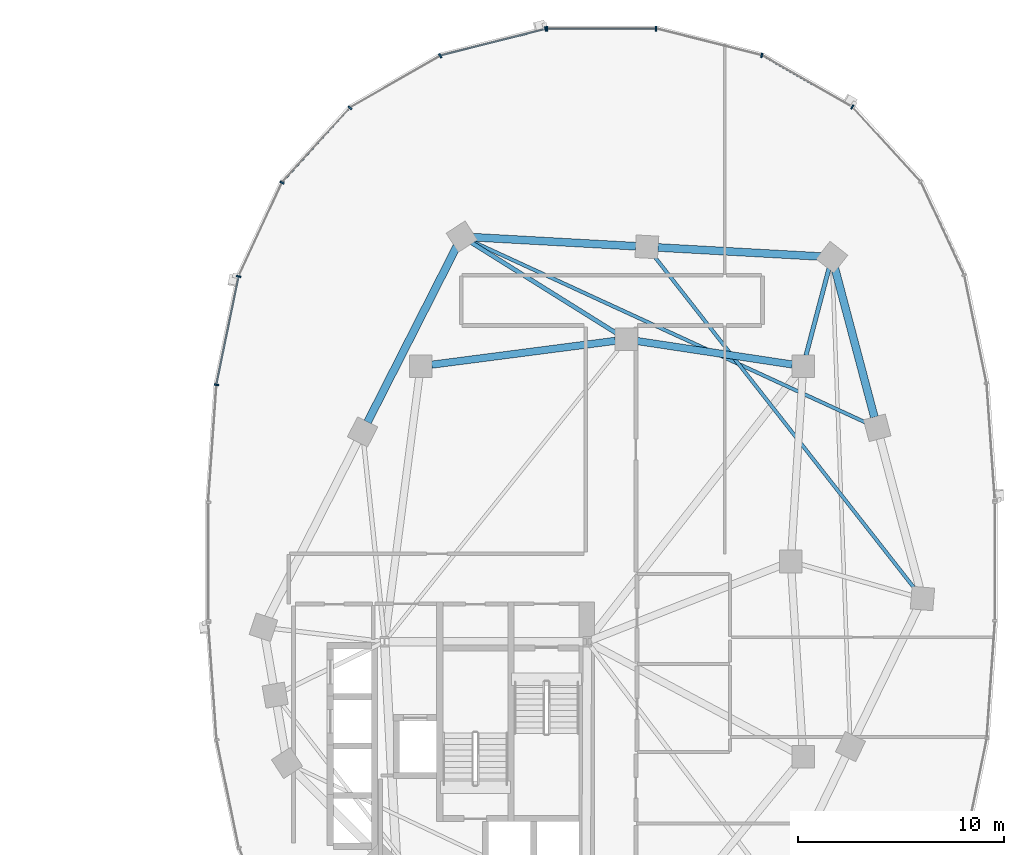
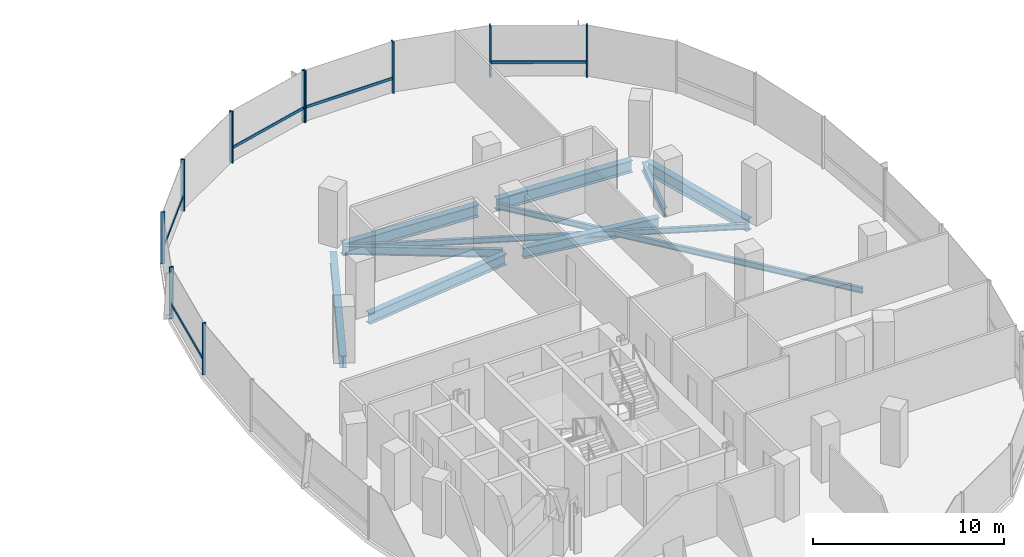
# One storey, part 7 of 21: 15 members, 10 beams, 2 elements without a shape of their own.
"""IFC4 building model written with IfcOpenShell, lengths in metres."""

from ifc_helpers import new_model, si_unit, direction, frame, origin, origin_2d, place, context, subcontext, project, spatial, rectangle, i_section, extrude, material, material_profile, profile_set, type_object, element, aggregate, save


model = new_model("IFC4")

# Units and contexts
model_context = context("Model", 3, precision=1e-05, world=origin(), true_north=direction((0.0, 1.0)))
body_context = subcontext(model_context, "Body", "Model", "MODEL_VIEW")
ifc_project = project(units=[si_unit("LENGTHUNIT", "METRE"), si_unit("AREAUNIT", "SQUARE_METRE"), si_unit("VOLUMEUNIT", "CUBIC_METRE"), si_unit("PLANEANGLEUNIT", "RADIAN"), si_unit("MASSUNIT", "GRAM", prefix="KILO"), si_unit("THERMODYNAMICTEMPERATUREUNIT", "KELVIN"), si_unit("POWERUNIT", "WATT")], contexts=[model_context])

# Site, building, storey
site_placement = place(None, origin())
site = spatial("IfcSite", under=ifc_project, at=site_placement, CompositionType="ELEMENT")
building_placement = place(site_placement, origin())
building = spatial("IfcBuilding", under=site, at=building_placement, Name="Cundina Bronze Exchange", CompositionType="ELEMENT")
storey_placement = place(building_placement, frame((0.0, 0.0, 85.39990234375)))
storey = spatial("IfcBuildingStorey", under=building, at=storey_placement, Name="L21", CompositionType="ELEMENT", Elevation=85.39990234375)

# Beams
ifc_material_1 = material(Name="Steel ASTM A992 Grade 50", Category="steel")
ifc_material_profile_1 = material_profile(ifc_material_1, i_section(OverallWidth=0.2099609375, OverallDepth=0.532958984375, WebThickness=0.01025390625, FlangeThickness=0.015625, FilletRadius=0.013916015625, at=origin_2d()), Name="W21X62", Category="steel")
ifc_profile_set_1 = profile_set([ifc_material_profile_1], Name="Steel ASTM A992 Grade 50")
beam_type_1 = type_object("IfcBeamType", Name="BM-FLR-W21B", PredefinedType="BEAM", material=ifc_profile_set_1)
beam_1_placement = place(storey_placement, frame((41.9375, 10.020263671875, -0.56640625), z_axis=(0.255357891402, 0.966846599673, 0.0), x_axis=(-0.966846599673, 0.255357891402, 0.0)))
element("IfcBeam", 1, at=beam_1_placement, inside=storey, type_object=beam_type_1, Name="L21 Leg E Chordal Floor Beam 10", PredefinedType="BEAM", context=body_context, shape_type="SweptSolid", body=[
    extrude(i_section(OverallWidth=0.2099609375, OverallDepth=0.532958984375, WebThickness=0.01025390625, FlangeThickness=0.015625, FilletRadius=0.013916015625, at=origin_2d()), origin(), (0.0, 0.0, 1.0), 4.405517578125),
])
beam_2_placement = place(storey_placement, frame((32.743896484375, 11.085205078125, -0.56640625), z_axis=(-0.848003227047, 0.529991063055, 0.0), x_axis=(-0.529991063055, -0.848003227047, 0.0)))
element("IfcBeam", 2, at=beam_2_placement, inside=storey, type_object=beam_type_1, Name="L21 Leg E Chordal Floor Beam 12", PredefinedType="BEAM", context=body_context, shape_type="SweptSolid", body=[
    extrude(i_section(OverallWidth=0.2099609375, OverallDepth=0.532958984375, WebThickness=0.01025390625, FlangeThickness=0.015625, FilletRadius=0.013916015625, at=origin_2d()), origin(), (0.0, 0.0, 1.0), 8.358154296875),
])
ifc_material_profile_2 = material_profile(ifc_material_1, i_section(OverallWidth=0.172119140625, OverallDepth=0.35791015625, WebThickness=0.0078125, FlangeThickness=0.01318359375, FilletRadius=0.010009765625, at=origin_2d()), Name="W14X38", Category="steel")
ifc_profile_set_2 = profile_set([ifc_material_profile_2], Name="Steel ASTM A992 Grade 50")
beam_type_2 = type_object("IfcBeamType", Name="BM-JST-W14", PredefinedType="JOIST", material=ifc_profile_set_2)
beam_3_placement = place(storey_placement, frame((47.268310546875, -1.37646484375, -0.47900390625), z_axis=(-0.616815348306, 0.787107887201, 0.0), x_axis=(-0.787107887201, -0.616815348306, 0.0)))
element("IfcBeam", 3, at=beam_3_placement, inside=storey, type_object=beam_type_2, Name="L21 Leg E Lobe Floor Joist 08-11", PredefinedType="JOIST", context=body_context, shape_type="SweptSolid", body=[
    extrude(i_section(OverallWidth=0.172119140625, OverallDepth=0.35791015625, WebThickness=0.0078125, FlangeThickness=0.01318359375, FilletRadius=0.010009765625, at=origin_2d()), origin(), (0.0, 0.0, 1.0), 20.64892578125),
])
beam_4_placement = place(storey_placement, frame((44.911376953125, 6.72509765625, -0.47900390625), z_axis=(-0.908357076874, 0.41819543385, 0.0), x_axis=(-0.41819543385, -0.908357076874, 0.0)))
element("IfcBeam", 4, at=beam_4_placement, inside=storey, type_object=beam_type_2, Name="L21 Leg E Lobe Floor Joist 09-12", PredefinedType="JOIST", context=body_context, shape_type="SweptSolid", body=[
    extrude(i_section(OverallWidth=0.172119140625, OverallDepth=0.35791015625, WebThickness=0.0078125, FlangeThickness=0.01318359375, FilletRadius=0.010009765625, at=origin_2d()), origin(), (0.0, 0.0, 1.0), 21.162109375),
])
ifc_material_profile_3 = material_profile(ifc_material_1, i_section(OverallWidth=0.35498046875, OverallDepth=0.695068359375, WebThickness=0.015380859375, FlangeThickness=0.02490234375, FilletRadius=0.01806640625, at=origin_2d()), Name="W27X146", Category="steel")
ifc_profile_set_3 = profile_set([ifc_material_profile_3], Name="Steel ASTM A992 Grade 50")
beam_type_3 = type_object("IfcBeamType", Name="BM-RING-W27", PredefinedType="USERDEFINED", material=ifc_profile_set_3)
beam_5_placement = place(storey_placement, frame((41.26806640625, 9.580322265625, -0.6474609375), z_axis=(-0.988767489563, 0.149461873341, 0.0), x_axis=(-0.149461873341, -0.988767489563, 0.0)))
element("IfcBeam", 5, at=beam_5_placement, inside=storey, type_object=beam_type_3, Name="L21 E Inner Structural Ring Girder 05", ObjectType="GIRDER", PredefinedType="USERDEFINED", context=body_context, shape_type="SweptSolid", body=[
    extrude(i_section(OverallWidth=0.35498046875, OverallDepth=0.695068359375, WebThickness=0.015380859375, FlangeThickness=0.02490234375, FilletRadius=0.01806640625, at=origin_2d()), origin(), (0.0, 0.0, 1.0), 7.621826171875),
])
beam_6_placement = place(storey_placement, frame((32.66650390625, 10.730712890625, -0.6474609375), z_axis=(-0.991654577907, -0.128923225666, 0.0), x_axis=(0.128923225666, -0.991654577907, 0.0)))
element("IfcBeam", 6, at=beam_6_placement, inside=storey, type_object=beam_type_3, Name="L21 E Inner Structural Ring Girder 06", ObjectType="GIRDER", PredefinedType="USERDEFINED", context=body_context, shape_type="SweptSolid", body=[
    extrude(i_section(OverallWidth=0.35498046875, OverallDepth=0.695068359375, WebThickness=0.015380859375, FlangeThickness=0.02490234375, FilletRadius=0.01806640625, at=origin_2d()), origin(), (0.0, 0.0, 1.0), 9.00830078125),
])
ifc_material_profile_4 = material_profile(ifc_material_1, i_section(OverallWidth=0.381103515625, OverallDepth=0.77294921875, WebThickness=0.0166015625, FlangeThickness=0.027099609375, FilletRadius=0.01904296875, at=origin_2d()), Name="W30X173", Category="steel")
ifc_profile_set_4 = profile_set([ifc_material_profile_4], Name="Steel ASTM A992 Grade 50")
beam_type_4 = type_object("IfcBeamType", Name="BM-RING-W30", PredefinedType="USERDEFINED", material=ifc_profile_set_4)
beam_7_placement = place(storey_placement, frame((45.26220703125, 7.02001953125, -0.6865234375), z_axis=(-0.256209719931, 0.966621218168, 0.0), x_axis=(-0.966621218168, -0.256209719931, 0.0)))
element("IfcBeam", 7, at=beam_7_placement, inside=storey, type_object=beam_type_4, Name="L21 E Perimeter Ring Girder 09", ObjectType="GIRDER", PredefinedType="USERDEFINED", context=body_context, shape_type="SweptSolid", body=[
    extrude(i_section(OverallWidth=0.381103515625, OverallDepth=0.77294921875, WebThickness=0.0166015625, FlangeThickness=0.027099609375, FilletRadius=0.01904296875, at=origin_2d()), origin(), (0.0, 0.0, 1.0), 7.5107421875),
])
for number, where, z_axis, x_axis, name in (
    (8, (42.662841796875, 14.829833984375, -0.6865234375), (-0.99845950136, 0.055485350721, 0.0), (-0.055485350721, -0.99845950136, 0.0), "L21 E Perimeter Ring Girder 10"),
    (9, (33.662841796875, 15.329833984375, -0.6865234375), (-0.99845950136, 0.055485350721, 0.0), (-0.055485350721, -0.99845950136, 0.0), "L21 E Perimeter Ring Girder 11"),
):
    element("IfcBeam", number, at=place(storey_placement, frame(where, z_axis=z_axis, x_axis=x_axis)), inside=storey, type_object=beam_type_4, Name=name, ObjectType="GIRDER", PredefinedType="USERDEFINED", context=body_context, shape_type="SweptSolid", body=[
        extrude(i_section(OverallWidth=0.381103515625, OverallDepth=0.77294921875, WebThickness=0.0166015625, FlangeThickness=0.027099609375, FilletRadius=0.01904296875, at=origin_2d()), origin(), (0.0, 0.0, 1.0), 7.937744140625),
    ])
beam_8_placement = place(storey_placement, frame((24.956298828125, 15.3203125, -0.6865234375), z_axis=(-0.452832332744, -0.891595692241, 0.0), x_axis=(0.891595692241, -0.452832332744, 0.0)))
element("IfcBeam", 10, at=beam_8_placement, inside=storey, type_object=beam_type_4, Name="L21 E Perimeter Ring Girder 12", ObjectType="GIRDER", PredefinedType="USERDEFINED", context=body_context, shape_type="SweptSolid", body=[
    extrude(i_section(OverallWidth=0.381103515625, OverallDepth=0.77294921875, WebThickness=0.0166015625, FlangeThickness=0.027099609375, FilletRadius=0.01904296875, at=origin_2d()), origin(), (0.0, 0.0, 1.0), 9.578857421875),
])

# Curtain wall, members
ifc_material_2 = material(Name="Anodised Bronze Aluminium 6063-T6", Category="aluminium")
curtain_wall_type = type_object("IfcCurtainWallType", Name="CWS-TRD-MID", PredefinedType="NOTDEFINED", material=ifc_material_2)
curtain_wall_1_placement = place(storey_placement, origin())
curtain_wall_1 = element("IfcCurtainWall", 11, at=curtain_wall_1_placement, inside=storey, type_object=curtain_wall_type, Name="L21 CW-03 Curtain Wall Run CWR-L21-E1", PredefinedType="NOTDEFINED")
ifc_material_profile_5 = material_profile(ifc_material_2, rectangle(XDim=0.074951171875, YDim=0.219970703125, at=origin_2d()), Name="AL75X220", Category="aluminium")
ifc_profile_set_5 = profile_set([ifc_material_profile_5], Name="Anodised Bronze Aluminium 6063-T6")
member_type_1 = type_object("IfcMemberType", Name="CWM-MUL-220", PredefinedType="MULLION", material=ifc_profile_set_5)
member_1_placement = place(storey_placement, frame((44.189697265625, 22.097412109375, 0.0), z_axis=(0.0, 0.0, 1.0), x_axis=(-0.867070701164, 0.498185105339, 0.0)))
member_1 = element("IfcMember", 12, at=member_1_placement, type_object=member_type_1, Name="CW-03 Mullion 5", PredefinedType="MULLION", context=body_context, shape_type="SweptSolid", body=[
    extrude(rectangle(XDim=0.074951171875, YDim=0.219970703125, at=origin_2d()), origin(), (0.0, 0.0, 1.0), 3.300048828125),
])
member_2_placement = place(storey_placement, frame((39.78515625, 24.61669921875, 0.0), z_axis=(0.0, 0.0, 1.0), x_axis=(-0.969488149345, 0.245138182011, 0.0)))
member_2 = element("IfcMember", 13, at=member_2_placement, type_object=member_type_1, Name="CW-03 Mullion 6", PredefinedType="MULLION", context=body_context, shape_type="SweptSolid", body=[
    extrude(rectangle(XDim=0.074951171875, YDim=0.219970703125, at=origin_2d()), origin(), (0.0, 0.0, 1.0), 3.300048828125),
])
member_3_placement = place(storey_placement, frame((34.654541015625, 25.905029296875, 0.0), z_axis=(0.0, 0.0, 1.0), x_axis=(-1.0, 0.0, 0.0)))
member_3 = element("IfcMember", 14, at=member_3_placement, type_object=member_type_1, Name="CW-03 Mullion 7", PredefinedType="MULLION", context=body_context, shape_type="SweptSolid", body=[
    extrude(rectangle(XDim=0.074951171875, YDim=0.219970703125, at=origin_2d()), origin(), (0.0, 0.0, 1.0), 3.300048828125),
])
member_4_placement = place(storey_placement, frame((29.345458984375, 25.905029296875, 0.0), z_axis=(0.0, 0.0, 1.0), x_axis=(-1.0, 0.0, 0.0)))
member_4 = element("IfcMember", 15, at=member_4_placement, type_object=member_type_1, Name="CW-03 End Mullion", PredefinedType="MULLION", context=body_context, shape_type="SweptSolid", body=[
    extrude(rectangle(XDim=0.074951171875, YDim=0.219970703125, at=origin_2d()), origin(), (0.0, 0.0, 1.0), 3.300048828125),
])

curtain_wall_2_placement = place(storey_placement, origin())
curtain_wall_2 = element("IfcCurtainWall", 16, at=curtain_wall_2_placement, inside=storey, type_object=curtain_wall_type, Name="L21 CW-03 Curtain Wall Run CWR-L21-E2", PredefinedType="NOTDEFINED")
member_5_placement = place(storey_placement, frame((29.27392578125, 25.89599609375, 0.0), z_axis=(0.0, 0.0, 1.0), x_axis=(-0.969488149345, -0.245138182011, 0.0)))
member_5 = element("IfcMember", 17, at=member_5_placement, type_object=member_type_1, Name="CW-03 Mullion 1", PredefinedType="MULLION", context=body_context, shape_type="SweptSolid", body=[
    extrude(rectangle(XDim=0.074951171875, YDim=0.219970703125, at=origin_2d()), origin(), (0.0, 0.0, 1.0), 3.300048828125),
])
member_6_placement = place(storey_placement, frame((24.151123046875, 24.591064453125, 0.0), z_axis=(0.0, 0.0, 1.0), x_axis=(-0.867070701164, -0.498185105339, 0.0)))
member_6 = element("IfcMember", 18, at=member_6_placement, type_object=member_type_1, Name="CW-03 Mullion 2", PredefinedType="MULLION", context=body_context, shape_type="SweptSolid", body=[
    extrude(rectangle(XDim=0.074951171875, YDim=0.219970703125, at=origin_2d()), origin(), (0.0, 0.0, 1.0), 3.300048828125),
])
member_7_placement = place(storey_placement, frame((19.760498046875, 22.0576171875, 0.0), z_axis=(0.0, 0.0, 1.0), x_axis=(-0.674302387584, -0.738455340626, 0.0)))
member_7 = element("IfcMember", 19, at=member_7_placement, type_object=member_type_1, Name="CW-03 Mullion 3", PredefinedType="MULLION", context=body_context, shape_type="SweptSolid", body=[
    extrude(rectangle(XDim=0.074951171875, YDim=0.219970703125, at=origin_2d()), origin(), (0.0, 0.0, 1.0), 3.300048828125),
])
member_8_placement = place(storey_placement, frame((16.455810546875, 18.423583984375, 0.0), z_axis=(0.0, 0.0, 1.0), x_axis=(-0.42087749791, -0.907117485088, 0.0)))
member_8 = element("IfcMember", 20, at=member_8_placement, type_object=member_type_1, Name="CW-03 Mullion 4", PredefinedType="MULLION", context=body_context, shape_type="SweptSolid", body=[
    extrude(rectangle(XDim=0.074951171875, YDim=0.219970703125, at=origin_2d()), origin(), (0.0, 0.0, 1.0), 3.300048828125),
])
member_9_placement = place(storey_placement, frame((14.348876953125, 13.861328125, 0.0), z_axis=(0.0, 0.0, 1.0), x_axis=(-0.201419845156, -0.979505000486, 0.0)))
member_9 = element("IfcMember", 21, at=member_9_placement, type_object=member_type_1, Name="CW-03 Mullion 5", PredefinedType="MULLION", context=body_context, shape_type="SweptSolid", body=[
    extrude(rectangle(XDim=0.074951171875, YDim=0.219970703125, at=origin_2d()), origin(), (0.0, 0.0, 1.0), 3.300048828125),
])
member_10_placement = place(storey_placement, frame((13.27099609375, 8.591552734375, 0.0), z_axis=(0.0, 0.0, 1.0), x_axis=(-0.070278787473, -0.997527389113, 0.0)))
member_10 = element("IfcMember", 22, at=member_10_placement, type_object=member_type_1, Name="CW-03 Mullion 6", PredefinedType="MULLION", context=body_context, shape_type="SweptSolid", body=[
    extrude(rectangle(XDim=0.074951171875, YDim=0.219970703125, at=origin_2d()), origin(), (0.0, 0.0, 1.0), 3.300048828125),
])

# Member
ifc_material_profile_6 = material_profile(ifc_material_2, rectangle(XDim=0.070068359375, YDim=0.179931640625, at=origin_2d()), Name="AL70X180", Category="aluminium")
ifc_profile_set_6 = profile_set([ifc_material_profile_6], Name="Anodised Bronze Aluminium 6063-T6")
member_type_2 = type_object("IfcMemberType", Name="CWM-TRN-180", PredefinedType="USERDEFINED", material=ifc_profile_set_6)
member_11_placement = place(storey_placement, frame((44.154052734375, 22.117919921875, 0.920166015625), z_axis=(-0.867097475651, 0.498138502546, 0.0), x_axis=(-0.498138502546, -0.867097475651, 0.0)))
member_11 = element("IfcMember", 23, at=member_11_placement, type_object=member_type_2, Name="CW-03 Spandrel Transom 5", ObjectType="TRANSOM", PredefinedType="USERDEFINED", context=body_context, shape_type="SweptSolid", body=[
    extrude(rectangle(XDim=0.070068359375, YDim=0.179931640625, at=origin_2d()), origin(), (0.0, 0.0, 1.0), 5.00634765625),
])

member_12_placement = place(storey_placement, frame((34.61328125, 25.905029296875, 0.920166015625), z_axis=(-1.0, 0.0, 0.0), x_axis=(0.0, -1.0, 0.0)))
member_12 = element("IfcMember", 24, at=member_12_placement, type_object=member_type_2, Name="CW-03 Spandrel Transom 7", ObjectType="TRANSOM", PredefinedType="USERDEFINED", context=body_context, shape_type="SweptSolid", body=[
    extrude(rectangle(XDim=0.070068359375, YDim=0.179931640625, at=origin_2d()), origin(), (0.0, 0.0, 1.0), 5.2265625),
])

aggregate(curtain_wall_1, [member_1, member_11, member_2, member_3, member_4, member_12])

member_13_placement = place(storey_placement, frame((29.23388671875, 25.885986328125, 0.920166015625), z_axis=(-0.969483968866, -0.245154714644, 0.0), x_axis=(0.245154714644, -0.969483968866, 0.0)))
member_13 = element("IfcMember", 25, at=member_13_placement, type_object=member_type_2, Name="CW-03 Spandrel Transom 1", ObjectType="TRANSOM", PredefinedType="USERDEFINED", context=body_context, shape_type="SweptSolid", body=[
    extrude(rectangle(XDim=0.070068359375, YDim=0.179931640625, at=origin_2d()), origin(), (0.0, 0.0, 1.0), 5.21826171875),
])

member_14_placement = place(storey_placement, frame((19.73291015625, 22.027099609375, 0.920166015625), z_axis=(-0.674302794847, -0.738454968743, 0.0), x_axis=(0.738454968743, -0.674302794847, 0.0)))
member_14 = element("IfcMember", 26, at=member_14_placement, type_object=member_type_2, Name="CW-03 Spandrel Transom 3", ObjectType="TRANSOM", PredefinedType="USERDEFINED", context=body_context, shape_type="SweptSolid", body=[
    extrude(rectangle(XDim=0.070068359375, YDim=0.179931640625, at=origin_2d()), origin(), (0.0, 0.0, 1.0), 4.848388671875),
])

member_15_placement = place(storey_placement, frame((14.340576171875, 13.821044921875, 0.920166015625), z_axis=(-0.201427712708, -0.979503382615, 0.0), x_axis=(0.979503382615, -0.201427712708, 0.0)))
member_15 = element("IfcMember", 27, at=member_15_placement, type_object=member_type_2, Name="CW-03 Spandrel Transom 5", ObjectType="TRANSOM", PredefinedType="USERDEFINED", context=body_context, shape_type="SweptSolid", body=[
    extrude(rectangle(XDim=0.070068359375, YDim=0.179931640625, at=origin_2d()), origin(), (0.0, 0.0, 1.0), 5.291748046875),
])

aggregate(curtain_wall_2, [member_5, member_13, member_6, member_7, member_14, member_8, member_9, member_15, member_10])

save(model, "model.ifc")
